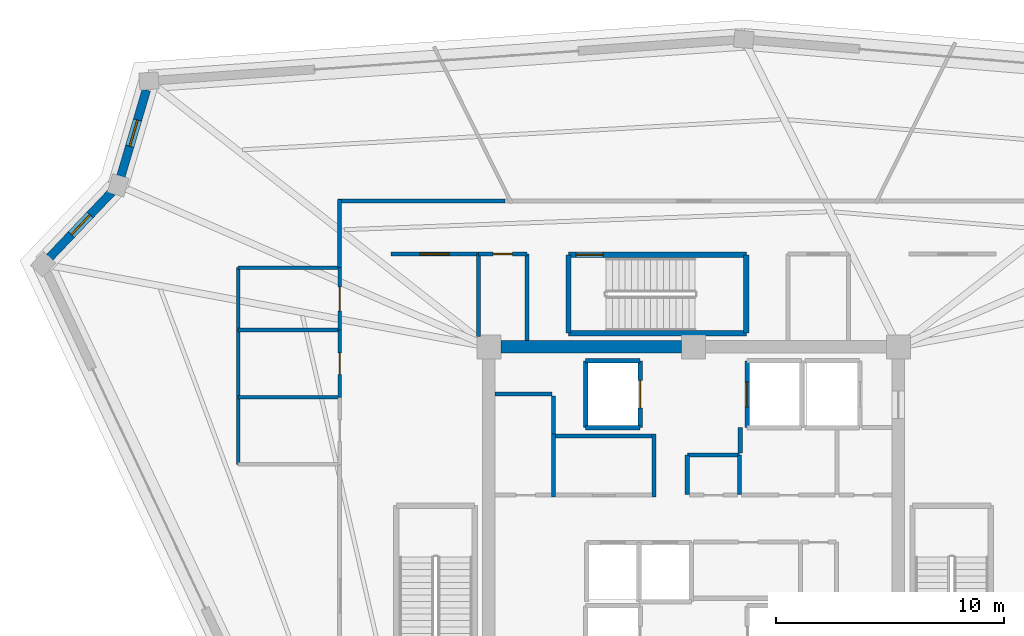
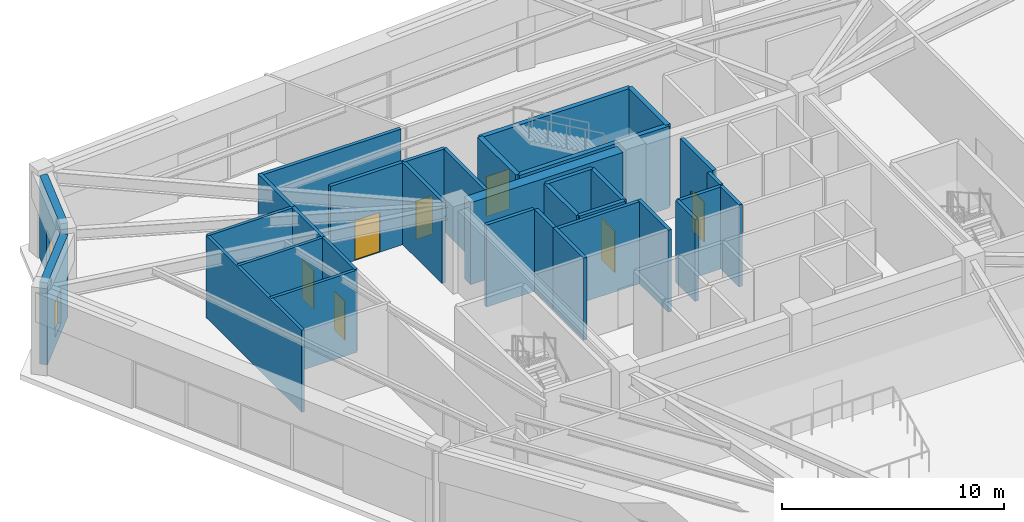
# One storey, part 35 of 40: 33 walls, 7 doors, 2 windows, 9 openings.
"""IFC4 building model written with IfcOpenShell, lengths in metres."""

from ifc_helpers import new_model, si_unit, direction, frame, frame_2d, origin, place, context, subcontext, project, spatial, rectangle, extrude, source, transform, mapped, material, layer, layer_set, type_object, element, fill, save


model = new_model("IFC4")

# Units and contexts
model_context = context("Model", 3, precision=1e-05, world=origin(), true_north=direction((0.0, 1.0)))
body_context = subcontext(model_context, "Body", "Model", "MODEL_VIEW")
ifc_project = project(units=[si_unit("LENGTHUNIT", "METRE"), si_unit("AREAUNIT", "SQUARE_METRE"), si_unit("VOLUMEUNIT", "CUBIC_METRE"), si_unit("PLANEANGLEUNIT", "RADIAN"), si_unit("MASSUNIT", "GRAM", prefix="KILO")], contexts=[model_context])

# Site, building, storey
site_placement = place(None, origin())
site = spatial("IfcSite", under=ifc_project, at=site_placement, CompositionType="ELEMENT")
building_placement = place(site_placement, origin())
building = spatial("IfcBuilding", under=site, at=building_placement, Name="Liaohun Quay Tower", CompositionType="ELEMENT")
storey_placement = place(building_placement, frame((0.0, 0.0, 351.0)))
storey = spatial("IfcBuildingStorey", under=building, at=storey_placement, Name="L91", CompositionType="ELEMENT", Elevation=351.0)

# Wall
ifc_material_1 = material(Name="Concrete C50", Category="concrete")
ifc_layer_1 = layer(ifc_material_1, 0.550048828125, Name="Concrete C50", Category="concrete")
ifc_layer_set_1 = layer_set([ifc_layer_1], Name="Concrete C50")
wall_type_1 = type_object("IfcWallType", Name="WAL-COR-Z4", PredefinedType="SHEAR", material=ifc_layer_set_1)
wall_1_placement = place(storey_placement, frame((51.52490234375, 61.5, 0.0), z_axis=(0.0, 0.0, 1.0), x_axis=(1.0, 0.0, 0.0)))
element("IfcWall", 1, at=wall_1_placement, inside=storey, type_object=wall_type_1, Name="L91 Central Core Shear Wall N-W", PredefinedType="SHEAR", context=body_context, shape_type="SweptSolid", body=[
    extrude(rectangle(XDim=7.9501953125, YDim=0.550048828125, at=frame_2d((3.97509765625, 0.0))), origin(), (0.0, 0.0, 1.0), 4.52001953125),
])

# Wall, opening, window
ifc_material_2 = material(Name="Precast concrete C50 insulated sandwich", Category="concrete")
ifc_layer_2 = layer(ifc_material_2, 0.3798828125, Name="Precast concrete C50 insulated sandwich", Category="concrete")
ifc_layer_set_2 = layer_set([ifc_layer_2], Name="Precast concrete C50 insulated sandwich")
wall_type_2 = type_object("IfcWallType", Name="WAL-EXT-Z34", PredefinedType="SOLIDWALL", material=ifc_layer_set_2)
wall_2_placement = place(storey_placement, frame((35.946044921875, 72.787109375, 0.0), z_axis=(0.0, 0.0, 1.0), x_axis=(-0.282751831767, -0.959193099241, 0.0)))
wall_2 = element("IfcWall", 2, at=wall_2_placement, inside=storey, type_object=wall_type_2, Name="L91 Corner Notch Precast Pier Wall 08", PredefinedType="SOLIDWALL", context=body_context, shape_type="SweptSolid", body=[
    extrude(rectangle(XDim=3.9501953125, YDim=0.3798828125, at=frame_2d((1.97509765625, 0.0))), origin(), (0.0, 0.0, 1.0), 4.52001953125),
])
shared_shape_1 = source(origin(), body_context, "Body", "SweptSolid", [
    extrude(rectangle(XDim=1.199951171875, YDim=1.89990234375, at=frame_2d((0.60009765625, 0.949951171875))), frame((0.0, 0.199951171875, 0.0), z_axis=(0.0, -1.0, 0.0), x_axis=(1.0, 0.0, 0.0)), (0.0, 0.0, 1.0), 0.39990234375),
])
opening_1_placement = place(wall_2_placement, frame((1.375, 0.0, 0.550048828125)))
opening_1 = element("IfcOpeningElement", 3, at=opening_1_placement, cuts=wall_2, Name="Opening W05", PredefinedType="OPENING", context=body_context, shape_type="MappedRepresentation", body=[
    mapped(shared_shape_1, transform((0.0, 0.0, 0.0), x_axis=(1.0, 0.0, 0.0), y_axis=(0.0, 1.0, 0.0), z_axis=(0.0, 0.0, 1.0), scale=1.0)),
])
ifc_material_3 = material(Name="Triple Low-E corner notch glazing", Category="glass")
window_type = type_object("IfcWindowType", Name="WIN-NOTCH", PartitioningType="SINGLE_PANEL", PredefinedType="WINDOW", material=ifc_material_3)
shared_shape_2 = source(origin(), body_context, "Body", "SweptSolid", [
    extrude(rectangle(XDim=1.199951171875, YDim=1.89990234375, at=frame_2d((0.60009765625, 0.949951171875))), frame((0.0, 0.030029296875, 0.0), z_axis=(0.0, -1.0, 0.0), x_axis=(1.0, 0.0, 0.0)), (0.0, 0.0, 1.0), 0.06005859375),
])
window_1_placement = place(opening_1_placement, origin())
window_1 = element("IfcWindow", 4, at=window_1_placement, inside=storey, type_object=window_type, Name="L91 Corner Notch Window W05-08", OverallHeight=1.89990234375, OverallWidth=1.199951171875, PartitioningType="SINGLE_PANEL", PredefinedType="WINDOW", context=body_context, shape_type="MappedRepresentation", body=[
    mapped(shared_shape_2, transform((0.0, 0.0, 0.0), x_axis=(1.0, 0.0, 0.0), y_axis=(0.0, 1.0, 0.0), z_axis=(0.0, 0.0, 1.0), scale=1.0)),
])
fill(opening_1, window_1)

wall_3_placement = place(storey_placement, frame((34.426025390625, 68.299072265625, 0.0), z_axis=(0.0, 0.0, 1.0), x_axis=(-0.689436444491, -0.724346180364, 0.0)))
wall_3 = element("IfcWall", 5, at=wall_3_placement, inside=storey, type_object=wall_type_2, Name="L91 Corner Notch Precast Pier Wall 09", PredefinedType="SOLIDWALL", context=body_context, shape_type="SweptSolid", body=[
    extrude(rectangle(XDim=3.958251953125, YDim=0.3798828125, at=frame_2d((1.97900390625, 0.0))), origin(), (0.0, 0.0, 1.0), 4.52001953125),
])
opening_2_placement = place(wall_3_placement, frame((1.37890625, 0.0, 0.550048828125)))
opening_2 = element("IfcOpeningElement", 6, at=opening_2_placement, cuts=wall_3, Name="Opening W05", PredefinedType="OPENING", context=body_context, shape_type="MappedRepresentation", body=[
    mapped(shared_shape_1, transform((0.0, 0.0, 0.0), x_axis=(1.0, 0.0, 0.0), y_axis=(0.0, 1.0, 0.0), z_axis=(0.0, 0.0, 1.0), scale=1.0)),
])
window_2_placement = place(opening_2_placement, origin())
window_2 = element("IfcWindow", 7, at=window_2_placement, inside=storey, type_object=window_type, Name="L91 Corner Notch Window W05-09", OverallHeight=1.89990234375, OverallWidth=1.199951171875, PartitioningType="SINGLE_PANEL", PredefinedType="WINDOW", context=body_context, shape_type="MappedRepresentation", body=[
    mapped(shared_shape_2, transform((0.0, 0.0, 0.0), x_axis=(1.0, 0.0, 0.0), y_axis=(0.0, 1.0, 0.0), z_axis=(0.0, 0.0, 1.0), scale=1.0)),
])
fill(opening_2, window_2)

# Wall, opening, door
ifc_material_4 = material(Name="Autoclaved aerated concrete blockwork", Category="masonry")
ifc_layer_3 = layer(ifc_material_4, 0.179931640625, Name="Autoclaved aerated concrete blockwork", Category="masonry")
ifc_layer_set_3 = layer_set([ifc_layer_3], Name="Autoclaved aerated concrete blockwork")
wall_type_3 = type_object("IfcWallType", Name="WAL-PRT-COR", PredefinedType="PARTITIONING", material=ifc_layer_set_3)
wall_4_placement = place(storey_placement, frame((50.5400390625, 65.580078125, 0.0), z_axis=(0.0, 0.0, 1.0), x_axis=(1.0, 0.0, 0.0)))
wall_4 = element("IfcWall", 8, at=wall_4_placement, inside=storey, type_object=wall_type_3, Name="L91 Interior Partition Wall 011", PredefinedType="PARTITIONING", context=body_context, shape_type="SweptSolid", body=[
    extrude(rectangle(XDim=2.139892578125, YDim=0.179931640625, at=frame_2d((1.06982421875, 0.0))), origin(), (0.0, 0.0, 1.0), 4.52001953125),
])
shared_shape_3 = source(origin(), body_context, "Body", "SweptSolid", [
    extrude(rectangle(XDim=0.85009765625, YDim=2.10009765625, at=frame_2d((0.425048828125, 1.050048828125))), frame((0.0, 0.099853515625, 0.0), z_axis=(0.0, -1.0, 0.0), x_axis=(1.0, 0.0, 0.0)), (0.0, 0.0, 1.0), 0.199951171875),
])
opening_3_placement = place(wall_4_placement, frame((0.64501953125, 0.0, 0.0)))
opening_3 = element("IfcOpeningElement", 9, at=opening_3_placement, cuts=wall_4, Name="Opening AD1", PredefinedType="OPENING", context=body_context, shape_type="MappedRepresentation", body=[
    mapped(shared_shape_3, transform((0.0, 0.0, 0.0), x_axis=(1.0, 0.0, 0.0), y_axis=(0.0, 1.0, 0.0), z_axis=(0.0, 0.0, 1.0), scale=1.0)),
])
ifc_material_5 = material(Name="Steel riser inspection fire door", Category="steel")
door_type_1 = type_object("IfcDoorType", Name="DOR-SHF-850", OperationType="NOTDEFINED", PredefinedType="DOOR", material=ifc_material_5)
shared_shape_4 = source(origin(), body_context, "Body", "SweptSolid", [
    extrude(rectangle(XDim=0.85009765625, YDim=2.10009765625, at=frame_2d((0.425048828125, 1.050048828125))), frame((0.0, 0.02490234375, 0.0), z_axis=(0.0, -1.0, 0.0), x_axis=(1.0, 0.0, 0.0)), (0.0, 0.0, 1.0), 0.050048828125),
])
door_1_placement = place(opening_3_placement, origin())
door_1 = element("IfcDoor", 10, at=door_1_placement, inside=storey, type_object=door_type_1, Name="L91 North-West Supply Store Door", OperationType="SINGLE_SWING_LEFT", OverallHeight=2.10009765625, OverallWidth=0.85009765625, PredefinedType="DOOR", context=body_context, shape_type="MappedRepresentation", body=[
    mapped(shared_shape_4, transform((0.0, 0.0, 0.0), x_axis=(1.0, 0.0, 0.0), y_axis=(0.0, 1.0, 0.0), z_axis=(0.0, 0.0, 1.0), scale=1.0)),
])
fill(opening_3, door_1)

wall_5_placement = place(storey_placement, frame((46.699951171875, 65.580078125, 0.0), z_axis=(0.0, 0.0, 1.0), x_axis=(1.0, 0.0, 0.0)))
wall_5 = element("IfcWall", 11, at=wall_5_placement, inside=storey, type_object=wall_type_3, Name="L91 Interior Partition Wall 013", PredefinedType="PARTITIONING", context=body_context, shape_type="SweptSolid", body=[
    extrude(rectangle(XDim=3.840087890625, YDim=0.179931640625, at=frame_2d((1.919921875, 0.0))), origin(), (0.0, 0.0, 1.0), 4.52001953125),
])
shared_shape_5 = source(origin(), body_context, "Body", "SweptSolid", [
    extrude(rectangle(XDim=1.300048828125, YDim=2.199951171875, at=frame_2d((0.64990234375, 1.10009765625))), frame((0.0, 0.099853515625, 0.0), z_axis=(0.0, -1.0, 0.0), x_axis=(1.0, 0.0, 0.0)), (0.0, 0.0, 1.0), 0.199951171875),
])
opening_4_placement = place(wall_5_placement, frame((1.27001953125, 0.0, 0.0)))
opening_4 = element("IfcOpeningElement", 12, at=opening_4_placement, cuts=wall_5, Name="Opening FD1", PredefinedType="OPENING", context=body_context, shape_type="MappedRepresentation", body=[
    mapped(shared_shape_5, transform((0.0, 0.0, 0.0), x_axis=(1.0, 0.0, 0.0), y_axis=(0.0, 1.0, 0.0), z_axis=(0.0, 0.0, 1.0), scale=1.0)),
])
ifc_material_6 = material(Name="Galvanised steel smokeproof fire door", Category="steel")
door_type_2 = type_object("IfcDoorType", Name="DOR-FFL-1300", OperationType="NOTDEFINED", PredefinedType="DOOR", material=ifc_material_6)
shared_shape_6 = source(origin(), body_context, "Body", "SweptSolid", [
    extrude(rectangle(XDim=1.300048828125, YDim=2.199951171875, at=frame_2d((0.64990234375, 1.10009765625))), frame((0.0, 0.02490234375, 0.0), z_axis=(0.0, -1.0, 0.0), x_axis=(1.0, 0.0, 0.0)), (0.0, 0.0, 1.0), 0.050048828125),
])
door_2_placement = place(opening_4_placement, origin())
door_2 = element("IfcDoor", 13, at=door_2_placement, inside=storey, type_object=door_type_2, Name="L91 West Core Vestibule Door", OperationType="SINGLE_SWING_LEFT", OverallHeight=2.199951171875, OverallWidth=1.300048828125, PredefinedType="DOOR", context=body_context, shape_type="MappedRepresentation", body=[
    mapped(shared_shape_6, transform((0.0, 0.0, 0.0), x_axis=(1.0, 0.0, 0.0), y_axis=(0.0, 1.0, 0.0), z_axis=(0.0, 0.0, 1.0), scale=1.0)),
])
fill(opening_4, door_2)

# Walls
wall_6_placement = place(storey_placement, frame((51.27490234375, 59.429931640625, 0.0), z_axis=(0.0, 0.0, 1.0), x_axis=(1.0, 0.0, 0.0)))
element("IfcWall", 14, at=wall_6_placement, inside=storey, type_object=wall_type_3, Name="L91 Interior Partition Wall 019", PredefinedType="PARTITIONING", context=body_context, shape_type="SweptSolid", body=[
    extrude(rectangle(XDim=2.505126953125, YDim=0.179931640625, at=frame_2d((1.25244140625, 0.0))), origin(), (0.0, 0.0, 1.0), 4.52001953125),
])
for number, where, z_axis, x_axis, name in (
    (15, (59.719970703125, 55.02001953125, 0.0), (0.0, 0.0, 1.0), (0.0, 1.0, 0.0), "L91 Interior Partition Wall 021"),
    (16, (62.010009765625, 55.02001953125, 0.0), (0.0, 0.0, 1.0), (0.0, 1.0, 0.0), "L91 Interior Partition Wall 022"),
):
    element("IfcWall", number, at=place(storey_placement, frame(where, z_axis=z_axis, x_axis=x_axis)), inside=storey, type_object=wall_type_3, Name=name, PredefinedType="PARTITIONING", context=body_context, shape_type="SweptSolid", body=[
        extrude(rectangle(XDim=1.72998046875, YDim=0.179931640625, at=frame_2d((0.864990234375, 0.0))), origin(), (0.0, 0.0, 1.0), 4.52001953125),
    ])
wall_7_placement = place(storey_placement, frame((59.719970703125, 56.75, 0.0), z_axis=(0.0, 0.0, 1.0), x_axis=(1.0, 0.0, 0.0)))
element("IfcWall", 17, at=wall_7_placement, inside=storey, type_object=wall_type_3, Name="L91 Interior Partition Wall 023", PredefinedType="PARTITIONING", context=body_context, shape_type="SweptSolid", body=[
    extrude(rectangle(XDim=2.2900390625, YDim=0.179931640625, at=frame_2d((1.14501953125, 0.0))), origin(), (0.0, 0.0, 1.0), 4.52001953125),
])
wall_8_placement = place(storey_placement, frame((50.5400390625, 61.949951171875, 0.0), z_axis=(0.0, 0.0, 1.0), x_axis=(0.0, 1.0, 0.0)))
element("IfcWall", 18, at=wall_8_placement, inside=storey, type_object=wall_type_3, Name="L91 Interior Partition Wall 032", PredefinedType="PARTITIONING", context=body_context, shape_type="SweptSolid", body=[
    extrude(rectangle(XDim=3.630126953125, YDim=0.179931640625, at=frame_2d((1.81494140625, 0.0))), origin(), (0.0, 0.0, 1.0), 4.52001953125),
])
wall_9_placement = place(storey_placement, frame((52.679931640625, 61.77490234375, 0.0), z_axis=(0.0, 0.0, 1.0), x_axis=(0.0, 1.0, 0.0)))
element("IfcWall", 19, at=wall_9_placement, inside=storey, type_object=wall_type_3, Name="L91 Interior Partition Wall 033", PredefinedType="PARTITIONING", context=body_context, shape_type="SweptSolid", body=[
    extrude(rectangle(XDim=3.80517578125, YDim=0.179931640625, at=frame_2d((1.902587890625, 0.0))), origin(), (0.0, 0.0, 1.0), 4.52001953125),
])
wall_10_placement = place(storey_placement, frame((44.3701171875, 67.909912109375, 0.0), z_axis=(0.0, 0.0, 1.0), x_axis=(1.0, 0.0, 0.0)))
element("IfcWall", 20, at=wall_10_placement, inside=storey, type_object=wall_type_3, Name="L91 Interior Partition Wall 037", PredefinedType="PARTITIONING", context=body_context, shape_type="SweptSolid", body=[
    extrude(rectangle(XDim=7.343994140625, YDim=0.179931640625, at=frame_2d((3.671875, 0.0))), origin(), (0.0, 0.0, 1.0), 4.52001953125),
])
wall_11_placement = place(storey_placement, frame((44.43994140625, 64.97998046875, 0.0), z_axis=(0.0, 0.0, 1.0), x_axis=(0.0, 1.0, 0.0)))
element("IfcWall", 21, at=wall_11_placement, inside=storey, type_object=wall_type_3, Name="L91 Interior Partition Wall 038", PredefinedType="PARTITIONING", context=body_context, shape_type="SweptSolid", body=[
    extrude(rectangle(XDim=3.0, YDim=0.179931640625, at=frame_2d((1.5, 0.0))), origin(), (0.0, 0.0, 1.0), 4.52001953125),
])
for number, where, z_axis, x_axis, name in (
    (22, (53.85009765625, 54.889892578125, 0.0), (0.0, 0.0, 1.0), (0.0, 1.0, 0.0), "L91 Interior Partition Wall 046"),
    (23, (58.25, 54.889892578125, 0.0), (0.0, 0.0, 1.0), (0.0, 1.0, 0.0), "L91 Interior Partition Wall 047"),
):
    element("IfcWall", number, at=place(storey_placement, frame(where, z_axis=z_axis, x_axis=x_axis)), inside=storey, type_object=wall_type_3, Name=name, PredefinedType="PARTITIONING", context=body_context, shape_type="SweptSolid", body=[
        extrude(rectangle(XDim=2.780029296875, YDim=0.179931640625, at=frame_2d((1.39013671875, 0.0))), origin(), (0.0, 0.0, 1.0), 4.52001953125),
    ])
wall_12_placement = place(storey_placement, frame((53.93994140625, 57.580078125, 0.0), z_axis=(0.0, 0.0, 1.0), x_axis=(1.0, 0.0, 0.0)))
element("IfcWall", 24, at=wall_12_placement, inside=storey, type_object=wall_type_3, Name="L91 Interior Partition Wall 048", PredefinedType="PARTITIONING", context=body_context, shape_type="SweptSolid", body=[
    extrude(rectangle(XDim=4.219970703125, YDim=0.179931640625, at=frame_2d((2.10986328125, 0.0))), origin(), (0.0, 0.0, 1.0), 4.52001953125),
])
wall_13_placement = place(storey_placement, frame((53.85009765625, 57.669921875, 0.0), z_axis=(0.0, 0.0, 1.0), x_axis=(0.0, 1.0, 0.0)))
element("IfcWall", 25, at=wall_13_placement, inside=storey, type_object=wall_type_3, Name="L91 Interior Partition Wall 049", PredefinedType="PARTITIONING", context=body_context, shape_type="SweptSolid", body=[
    extrude(rectangle(XDim=1.670166015625, YDim=0.179931640625, at=frame_2d((0.8349609375, 0.0))), origin(), (0.0, 0.0, 1.0), 4.52001953125),
])
wall_14_placement = place(storey_placement, frame((62.050048828125, 56.840087890625, 0.0), z_axis=(0.0, 0.0, 1.0), x_axis=(0.0, 1.0, 0.0)))
element("IfcWall", 26, at=wall_14_placement, inside=storey, type_object=wall_type_3, Name="L91 Interior Partition Wall 050", PredefinedType="PARTITIONING", context=body_context, shape_type="SweptSolid", body=[
    extrude(rectangle(XDim=1.10986328125, YDim=0.179931640625, at=frame_2d((0.554931640625, 0.0))), origin(), (0.0, 0.0, 1.0), 4.52001953125),
])

# Wall, opening, door
ifc_material_7 = material(Name="Moisture-resistant masonry blockwork", Category="masonry")
ifc_layer_4 = layer(ifc_material_7, 0.159912109375, Name="Moisture-resistant masonry blockwork", Category="masonry")
ifc_layer_set_4 = layer_set([ifc_layer_4], Name="Moisture-resistant masonry blockwork")
wall_type_4 = type_object("IfcWallType", Name="WAL-PRT-WET", PredefinedType="PARTITIONING", material=ifc_layer_set_4)
wall_15_placement = place(storey_placement, frame((44.43994140625, 59.280029296875, 0.0), z_axis=(0.0, 0.0, 1.0), x_axis=(0.0, 1.0, 0.0)))
wall_15 = element("IfcWall", 27, at=wall_15_placement, inside=storey, type_object=wall_type_4, Name="L91 Interior Partition Wall 009", PredefinedType="PARTITIONING", context=body_context, shape_type="SweptSolid", body=[
    extrude(rectangle(XDim=2.9599609375, YDim=0.159912109375, at=frame_2d((1.47998046875, 0.0))), origin(), (0.0, 0.0, 1.0), 4.52001953125),
])
shared_shape_7 = source(origin(), body_context, "Body", "SweptSolid", [
    extrude(rectangle(XDim=0.949951171875, YDim=2.14990234375, at=frame_2d((0.47509765625, 1.074951171875))), frame((0.0, 0.08984375, 0.0), z_axis=(0.0, -1.0, 0.0), x_axis=(1.0, 0.0, 0.0)), (0.0, 0.0, 1.0), 0.179931640625),
])
opening_5_placement = place(wall_15_placement, frame((1.0048828125, 0.0, 0.0)))
opening_5 = element("IfcOpeningElement", 28, at=opening_5_placement, cuts=wall_15, Name="Opening WD1", PredefinedType="OPENING", context=body_context, shape_type="MappedRepresentation", body=[
    mapped(shared_shape_7, transform((0.0, 0.0, 0.0), x_axis=(1.0, 0.0, 0.0), y_axis=(0.0, 1.0, 0.0), z_axis=(0.0, 0.0, 1.0), scale=1.0)),
])
ifc_material_8 = material(Name="Moisture-resistant laminate timber leaf", Category="wood")
door_type_3 = type_object("IfcDoorType", Name="DOR-WC-950", OperationType="NOTDEFINED", PredefinedType="DOOR", material=ifc_material_8)
shared_shape_8 = source(origin(), body_context, "Body", "SweptSolid", [
    extrude(rectangle(XDim=0.949951171875, YDim=2.14990234375, at=frame_2d((0.47509765625, 1.074951171875))), frame((0.0, 0.02490234375, 0.0), z_axis=(0.0, -1.0, 0.0), x_axis=(1.0, 0.0, 0.0)), (0.0, 0.0, 1.0), 0.050048828125),
])
door_3_placement = place(opening_5_placement, origin())
door_3 = element("IfcDoor", 29, at=door_3_placement, inside=storey, type_object=door_type_3, Name="L91 Female Restroom WC Door", OperationType="SINGLE_SWING_LEFT", OverallHeight=2.14990234375, OverallWidth=0.949951171875, PredefinedType="DOOR", context=body_context, shape_type="MappedRepresentation", body=[
    mapped(shared_shape_8, transform((0.0, 0.0, 0.0), x_axis=(1.0, 0.0, 0.0), y_axis=(0.0, 1.0, 0.0), z_axis=(0.0, 0.0, 1.0), scale=1.0)),
])
fill(opening_5, door_3)

wall_16_placement = place(storey_placement, frame((44.43994140625, 62.239990234375, 0.0), z_axis=(0.0, 0.0, 1.0), x_axis=(0.0, 1.0, 0.0)))
wall_16 = element("IfcWall", 30, at=wall_16_placement, inside=storey, type_object=wall_type_4, Name="L91 Interior Partition Wall 010", PredefinedType="PARTITIONING", context=body_context, shape_type="SweptSolid", body=[
    extrude(rectangle(XDim=2.739990234375, YDim=0.159912109375, at=frame_2d((1.3701171875, 0.0))), origin(), (0.0, 0.0, 1.0), 4.52001953125),
])
shared_shape_9 = source(origin(), body_context, "Body", "SweptSolid", [
    extrude(rectangle(XDim=1.050048828125, YDim=2.14990234375, at=frame_2d((0.52490234375, 1.074951171875))), frame((0.0, 0.08984375, 0.0), z_axis=(0.0, -1.0, 0.0), x_axis=(1.0, 0.0, 0.0)), (0.0, 0.0, 1.0), 0.179931640625),
])
opening_6_placement = place(wall_16_placement, frame((0.844970703125, 0.0, 0.0)))
opening_6 = element("IfcOpeningElement", 31, at=opening_6_placement, cuts=wall_16, Name="Opening WD2", PredefinedType="OPENING", context=body_context, shape_type="MappedRepresentation", body=[
    mapped(shared_shape_9, transform((0.0, 0.0, 0.0), x_axis=(1.0, 0.0, 0.0), y_axis=(0.0, 1.0, 0.0), z_axis=(0.0, 0.0, 1.0), scale=1.0)),
])
ifc_material_9 = material(Name="Accessible outward-swinging laminate door")
door_type_4 = type_object("IfcDoorType", Name="DOR-AWC-1050", OperationType="NOTDEFINED", PredefinedType="DOOR", material=ifc_material_9)
shared_shape_10 = source(origin(), body_context, "Body", "SweptSolid", [
    extrude(rectangle(XDim=1.050048828125, YDim=2.14990234375, at=frame_2d((0.52490234375, 1.074951171875))), frame((0.0, 0.02490234375, 0.0), z_axis=(0.0, -1.0, 0.0), x_axis=(1.0, 0.0, 0.0)), (0.0, 0.0, 1.0), 0.050048828125),
])
door_4_placement = place(opening_6_placement, origin())
door_4 = element("IfcDoor", 32, at=door_4_placement, inside=storey, type_object=door_type_4, Name="L91 Accessible WC Door", OperationType="SINGLE_SWING_RIGHT", OverallHeight=2.14990234375, OverallWidth=1.050048828125, PredefinedType="DOOR", context=body_context, shape_type="MappedRepresentation", body=[
    mapped(shared_shape_10, transform((0.0, 0.0, 0.0), x_axis=(1.0, 0.0, 0.0), y_axis=(0.0, 1.0, 0.0), z_axis=(0.0, 0.0, 1.0), scale=1.0)),
])
fill(opening_6, door_4)

# Walls
wall_17_placement = place(storey_placement, frame((39.97998046875, 56.340087890625, 0.0), z_axis=(0.0, 0.0, 1.0), x_axis=(0.0, 1.0, 0.0)))
element("IfcWall", 33, at=wall_17_placement, inside=storey, type_object=wall_type_4, Name="L91 Interior Partition Wall 027", PredefinedType="PARTITIONING", context=body_context, shape_type="SweptSolid", body=[
    extrude(rectangle(XDim=8.639892578125, YDim=0.159912109375, at=frame_2d((4.31982421875, 0.0))), origin(), (0.0, 0.0, 1.0), 4.52001953125),
])
for number, where, z_axis, x_axis, name in (
    (34, (39.97998046875, 59.280029296875, 0.0), (0.0, 0.0, 1.0), (1.0, 0.0, 0.0), "L91 Interior Partition Wall 029"),
    (35, (39.97998046875, 62.239990234375, 0.0), (0.0, 0.0, 1.0), (1.0, 0.0, 0.0), "L91 Interior Partition Wall 030"),
    (36, (39.97998046875, 64.97998046875, 0.0), (0.0, 0.0, 1.0), (1.0, 0.0, 0.0), "L91 Interior Partition Wall 031"),
):
    element("IfcWall", number, at=place(storey_placement, frame(where, z_axis=z_axis, x_axis=x_axis)), inside=storey, type_object=wall_type_4, Name=name, PredefinedType="PARTITIONING", context=body_context, shape_type="SweptSolid", body=[
        extrude(rectangle(XDim=4.4599609375, YDim=0.159912109375, at=frame_2d((2.22998046875, 0.0))), origin(), (0.0, 0.0, 1.0), 4.52001953125),
    ])
ifc_layer_5 = layer(ifc_material_1, 0.239990234375, Name="Concrete C50", Category="concrete")
ifc_layer_set_5 = layer_set([ifc_layer_5], Name="Concrete C50")
wall_type_5 = type_object("IfcWallType", Name="WAL-SHF-200", PredefinedType="SOLIDWALL", material=ifc_layer_set_5)
wall_18_placement = place(storey_placement, frame((54.5, 62.10009765625, 0.0), z_axis=(0.0, 0.0, 1.0), x_axis=(1.0, 0.0, 0.0)))
element("IfcWall", 37, at=wall_18_placement, inside=storey, type_object=wall_type_5, Name="L91 Stairwell ST-3 Structural Core Wall S", PredefinedType="SOLIDWALL", context=body_context, shape_type="SweptSolid", body=[
    extrude(rectangle(XDim=7.820068359375, YDim=0.239990234375, at=frame_2d((3.91015625, 0.0))), origin(), (0.0, 0.0, 1.0), 4.52001953125),
])
wall_19_placement = place(storey_placement, frame((62.320068359375, 62.10009765625, 0.0), z_axis=(0.0, 0.0, 1.0), x_axis=(0.0, 1.0, 0.0)))
element("IfcWall", 38, at=wall_19_placement, inside=storey, type_object=wall_type_5, Name="L91 Stairwell ST-3 Structural Core Wall E", PredefinedType="SOLIDWALL", context=body_context, shape_type="SweptSolid", body=[
    extrude(rectangle(XDim=3.43994140625, YDim=0.239990234375, at=frame_2d((1.719970703125, 0.0))), origin(), (0.0, 0.0, 1.0), 4.52001953125),
])

# Wall, opening, door
wall_20_placement = place(storey_placement, frame((62.320068359375, 65.5400390625, 0.0), z_axis=(0.0, 0.0, 1.0), x_axis=(-1.0, 0.0, 0.0)))
wall_20 = element("IfcWall", 39, at=wall_20_placement, inside=storey, type_object=wall_type_5, Name="L91 Stairwell ST-3 Structural Core Wall N", PredefinedType="SOLIDWALL", context=body_context, shape_type="SweptSolid", body=[
    extrude(rectangle(XDim=7.820068359375, YDim=0.239990234375, at=frame_2d((3.91015625, 0.0))), origin(), (0.0, 0.0, 1.0), 4.52001953125),
])
shared_shape_11 = source(origin(), body_context, "Body", "SweptSolid", [
    extrude(rectangle(XDim=1.199951171875, YDim=2.199951171875, at=frame_2d((0.60009765625, 1.10009765625))), frame((0.0, 0.1298828125, 0.0), z_axis=(0.0, -1.0, 0.0), x_axis=(1.0, 0.0, 0.0)), (0.0, 0.0, 1.0), 0.260009765625),
])
opening_7_placement = place(wall_20_placement, frame((6.300048828125, 0.0, 0.0)))
opening_7 = element("IfcOpeningElement", 40, at=opening_7_placement, cuts=wall_20, Name="Opening SD1", PredefinedType="OPENING", context=body_context, shape_type="MappedRepresentation", body=[
    mapped(shared_shape_11, transform((0.0, 0.0, 0.0), x_axis=(1.0, 0.0, 0.0), y_axis=(0.0, 1.0, 0.0), z_axis=(0.0, 0.0, 1.0), scale=1.0)),
])
ifc_material_10 = material(Name="Galvanised steel fire door", Category="steel")
door_type_5 = type_object("IfcDoorType", Name="DOR-STR-1200", OperationType="NOTDEFINED", PredefinedType="DOOR", material=ifc_material_10)
shared_shape_12 = source(origin(), body_context, "Body", "SweptSolid", [
    extrude(rectangle(XDim=1.199951171875, YDim=2.199951171875, at=frame_2d((0.60009765625, 1.10009765625))), frame((0.0, 0.02490234375, 0.0), z_axis=(0.0, -1.0, 0.0), x_axis=(1.0, 0.0, 0.0)), (0.0, 0.0, 1.0), 0.050048828125),
])
door_5_placement = place(opening_7_placement, origin())
door_5 = element("IfcDoor", 41, at=door_5_placement, inside=storey, type_object=door_type_5, Name="L91 Protected Stair ST-3 Fire Door", OperationType="SINGLE_SWING_RIGHT", OverallHeight=2.199951171875, OverallWidth=1.199951171875, PredefinedType="DOOR", context=body_context, shape_type="MappedRepresentation", body=[
    mapped(shared_shape_12, transform((0.0, 0.0, 0.0), x_axis=(1.0, 0.0, 0.0), y_axis=(0.0, 1.0, 0.0), z_axis=(0.0, 0.0, 1.0), scale=1.0)),
])
fill(opening_7, door_5)

# Walls
wall_21_placement = place(storey_placement, frame((54.5, 65.5400390625, 0.0), z_axis=(0.0, 0.0, 1.0), x_axis=(0.0, -1.0, 0.0)))
element("IfcWall", 42, at=wall_21_placement, inside=storey, type_object=wall_type_5, Name="L91 Stairwell ST-3 Structural Core Wall W", PredefinedType="SOLIDWALL", context=body_context, shape_type="SweptSolid", body=[
    extrude(rectangle(XDim=3.43994140625, YDim=0.239990234375, at=frame_2d((1.719970703125, 0.0))), origin(), (0.0, 0.0, 1.0), 4.52001953125),
])
wall_22_placement = place(storey_placement, frame((55.25, 57.949951171875, 0.0), z_axis=(0.0, 0.0, 1.0), x_axis=(1.0, 0.0, 0.0)))
element("IfcWall", 43, at=wall_22_placement, inside=storey, type_object=wall_type_5, Name="L91 Lift FF-03 Hoistway Wall S", PredefinedType="SOLIDWALL", context=body_context, shape_type="SweptSolid", body=[
    extrude(rectangle(XDim=2.39990234375, YDim=0.199951171875, at=frame_2d((1.199951171875, 0.0))), origin(), (0.0, 0.0, 1.0), 4.52001953125),
])

# Wall, opening, door
wall_23_placement = place(storey_placement, frame((57.64990234375, 57.949951171875, 0.0), z_axis=(0.0, 0.0, 1.0), x_axis=(0.0, 1.0, 0.0)))
wall_23 = element("IfcWall", 44, at=wall_23_placement, inside=storey, type_object=wall_type_5, Name="L91 Lift FF-03 Hoistway Wall E", PredefinedType="SOLIDWALL", context=body_context, shape_type="SweptSolid", body=[
    extrude(rectangle(XDim=2.929931640625, YDim=0.199951171875, at=frame_2d((1.46484375, 0.0))), origin(), (0.0, 0.0, 1.0), 4.52001953125),
])
shared_shape_13 = source(origin(), body_context, "Body", "SweptSolid", [
    extrude(rectangle(XDim=1.199951171875, YDim=2.300048828125, at=frame_2d((0.60009765625, 1.14990234375))), frame((0.0, 0.10986328125, 0.0), z_axis=(0.0, -1.0, 0.0), x_axis=(1.0, 0.0, 0.0)), (0.0, 0.0, 1.0), 0.219970703125),
])
opening_8_placement = place(wall_23_placement, frame((0.864990234375, 0.0, 0.0)))
opening_8 = element("IfcOpeningElement", 45, at=opening_8_placement, cuts=wall_23, Name="Opening LD2", PredefinedType="OPENING", context=body_context, shape_type="MappedRepresentation", body=[
    mapped(shared_shape_13, transform((0.0, 0.0, 0.0), x_axis=(1.0, 0.0, 0.0), y_axis=(0.0, 1.0, 0.0), z_axis=(0.0, 0.0, 1.0), scale=1.0)),
])
ifc_material_11 = material(Name="Brushed stainless steel stretcher landing door", Category="steel")
door_type_6 = type_object("IfcDoorType", Name="DOR-LFT-1200", OperationType="SLIDING_TO_LEFT", PredefinedType="DOOR", material=ifc_material_11)
shared_shape_14 = source(origin(), body_context, "Body", "SweptSolid", [
    extrude(rectangle(XDim=1.199951171875, YDim=2.300048828125, at=frame_2d((0.60009765625, 1.14990234375))), frame((0.0, 0.02490234375, 0.0), z_axis=(0.0, -1.0, 0.0), x_axis=(1.0, 0.0, 0.0)), (0.0, 0.0, 1.0), 0.050048828125),
])
door_6_placement = place(opening_8_placement, origin())
door_6 = element("IfcDoor", 46, at=door_6_placement, inside=storey, type_object=door_type_6, Name="L91 Lift FF-03 Sliding Landing Door", OperationType="SLIDING_TO_LEFT", OverallHeight=2.300048828125, OverallWidth=1.199951171875, PredefinedType="DOOR", context=body_context, shape_type="MappedRepresentation", body=[
    mapped(shared_shape_14, transform((0.0, 0.0, 0.0), x_axis=(1.0, 0.0, 0.0), y_axis=(0.0, 1.0, 0.0), z_axis=(0.0, 0.0, 1.0), scale=1.0)),
])
fill(opening_8, door_6)

# Walls
wall_24_placement = place(storey_placement, frame((57.64990234375, 60.8798828125, 0.0), z_axis=(0.0, 0.0, 1.0), x_axis=(-1.0, 0.0, 0.0)))
element("IfcWall", 47, at=wall_24_placement, inside=storey, type_object=wall_type_5, Name="L91 Lift FF-03 Hoistway Wall N", PredefinedType="SOLIDWALL", context=body_context, shape_type="SweptSolid", body=[
    extrude(rectangle(XDim=2.39990234375, YDim=0.199951171875, at=frame_2d((1.199951171875, 0.0))), origin(), (0.0, 0.0, 1.0), 4.52001953125),
])
wall_25_placement = place(storey_placement, frame((55.25, 60.8798828125, 0.0), z_axis=(0.0, 0.0, 1.0), x_axis=(0.0, -1.0, 0.0)))
element("IfcWall", 48, at=wall_25_placement, inside=storey, type_object=wall_type_5, Name="L91 Lift FF-03 Hoistway Wall W", PredefinedType="SOLIDWALL", context=body_context, shape_type="SweptSolid", body=[
    extrude(rectangle(XDim=2.929931640625, YDim=0.199951171875, at=frame_2d((1.46484375, 0.0))), origin(), (0.0, 0.0, 1.0), 4.52001953125),
])

# Wall, opening, door
wall_26_placement = place(storey_placement, frame((62.35009765625, 60.8798828125, 0.0), z_axis=(0.0, 0.0, 1.0), x_axis=(0.0, -1.0, 0.0)))
wall_26 = element("IfcWall", 49, at=wall_26_placement, inside=storey, type_object=wall_type_5, Name="L91 Lift OB-01 Hoistway Wall W", PredefinedType="SOLIDWALL", context=body_context, shape_type="SweptSolid", body=[
    extrude(rectangle(XDim=2.929931640625, YDim=0.199951171875, at=frame_2d((1.46484375, 0.0))), origin(), (0.0, 0.0, 1.0), 4.52001953125),
])
shared_shape_15 = source(origin(), body_context, "Body", "SweptSolid", [
    extrude(rectangle(XDim=1.10009765625, YDim=2.199951171875, at=frame_2d((0.550048828125, 1.10009765625))), frame((0.0, 0.10986328125, 0.0), z_axis=(0.0, -1.0, 0.0), x_axis=(1.0, 0.0, 0.0)), (0.0, 0.0, 1.0), 0.219970703125),
])
opening_9_placement = place(wall_26_placement, frame((0.9150390625, 0.0, 0.0)))
opening_9 = element("IfcOpeningElement", 50, at=opening_9_placement, cuts=wall_26, Name="Opening LD1", PredefinedType="OPENING", context=body_context, shape_type="MappedRepresentation", body=[
    mapped(shared_shape_15, transform((0.0, 0.0, 0.0), x_axis=(1.0, 0.0, 0.0), y_axis=(0.0, 1.0, 0.0), z_axis=(0.0, 0.0, 1.0), scale=1.0)),
])
ifc_material_12 = material(Name="Brushed stainless steel landing door", Category="steel")
door_type_7 = type_object("IfcDoorType", Name="DOR-LFT-1100", OperationType="SLIDING_TO_LEFT", PredefinedType="DOOR", material=ifc_material_12)
shared_shape_16 = source(origin(), body_context, "Body", "SweptSolid", [
    extrude(rectangle(XDim=1.10009765625, YDim=2.199951171875, at=frame_2d((0.550048828125, 1.10009765625))), frame((0.0, 0.02490234375, 0.0), z_axis=(0.0, -1.0, 0.0), x_axis=(1.0, 0.0, 0.0)), (0.0, 0.0, 1.0), 0.050048828125),
])
door_7_placement = place(opening_9_placement, origin())
door_7 = element("IfcDoor", 51, at=door_7_placement, inside=storey, type_object=door_type_7, Name="L91 Lift OB-01 Sliding Landing Door", OperationType="SLIDING_TO_LEFT", OverallHeight=2.199951171875, OverallWidth=1.10009765625, PredefinedType="DOOR", context=body_context, shape_type="MappedRepresentation", body=[
    mapped(shared_shape_16, transform((0.0, 0.0, 0.0), x_axis=(1.0, 0.0, 0.0), y_axis=(0.0, 1.0, 0.0), z_axis=(0.0, 0.0, 1.0), scale=1.0)),
])
fill(opening_9, door_7)

save(model, "model.ifc")
